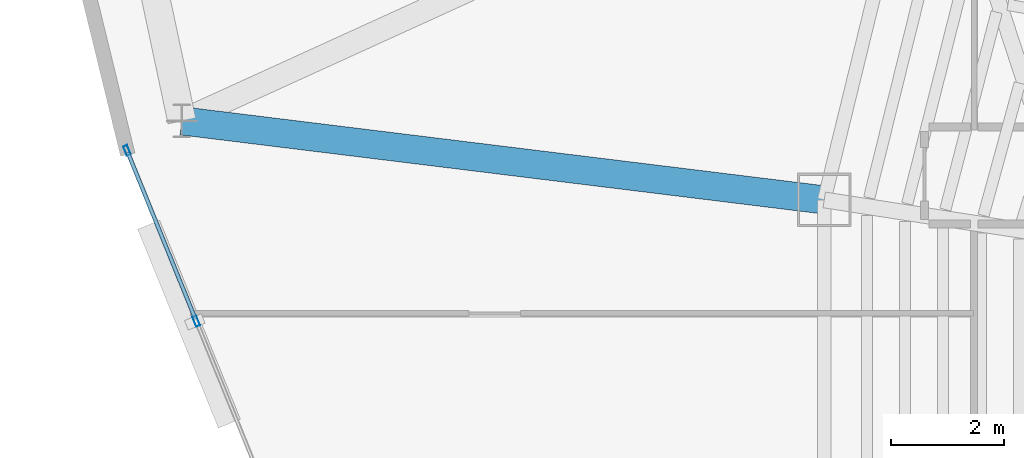
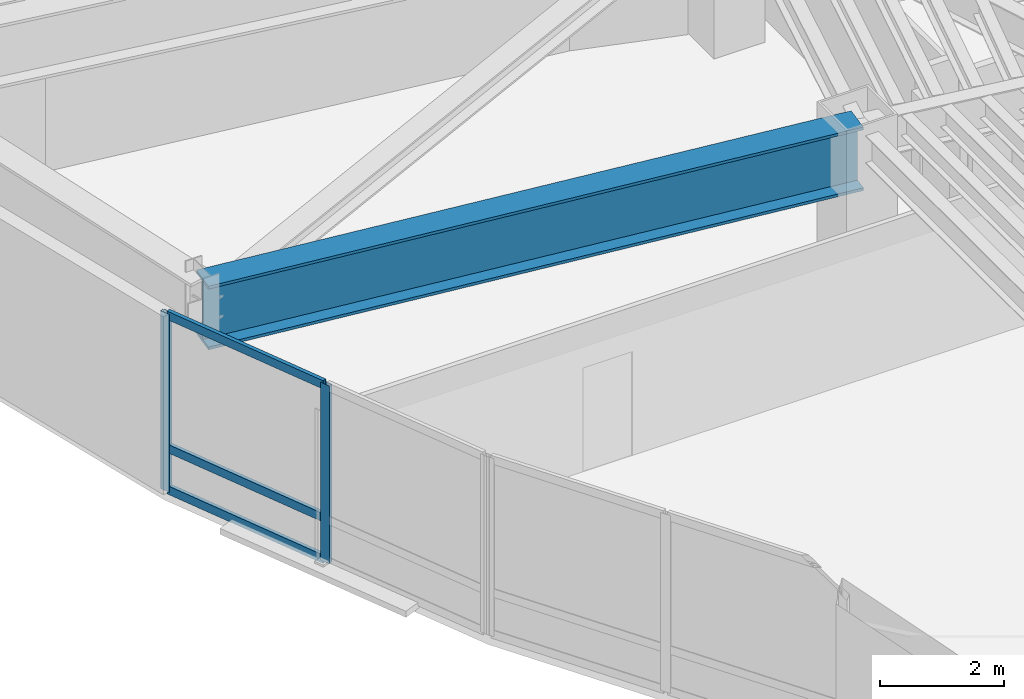
# One storey, part 6 of 16: 5 members, 1 beam, 1 element without a shape of its own.
"""IFC4 building model written with IfcOpenShell, lengths in metres."""

import ifcopenshell
import ifcopenshell.guid

model = None  # the IFC model being written
_history = None  # IfcOwnerHistory: only IFC2X3 demands one
_inside = {}  # id of a spatial element -> (the spatial element, [elements in it])
_under = {}  # id of a project, library or spatial element -> (it, [spatial elements below it])
_declared = {}  # id of a project -> (the project, [libraries it declares])
_typed = {}  # id of a type object -> (the type object, [elements of that type])
_made_of = {}  # id of a material, layer set ... -> (it, [elements and type objects made of it])


def new_model(schema):
    """Start an empty IFC model of exactly this schema.

    Asked for "IFC4X3", IfcOpenShell would pick the latest addendum, in which some entities
    have other attributes; the version numbers below select the first issue.
    IFC2X3 requires an IfcOwnerHistory on every rooted entity: one is made here for all.
    """
    global model, _history
    if schema == "IFC4X3":
        model = ifcopenshell.file(schema_version=(4, 3, 0, 0))
    else:
        model = ifcopenshell.file(schema=schema)
    _inside.clear()
    _under.clear()
    _declared.clear()
    _typed.clear()
    _made_of.clear()
    _history = None
    if model.schema == "IFC2X3":
        org = make("IfcOrganization", Name="unknown")
        user = make(
            "IfcPersonAndOrganization",
            ThePerson=make("IfcPerson", FamilyName="unknown"),
            TheOrganization=org,
        )
        app = make(
            "IfcApplication",
            ApplicationDeveloper=org,
            Version="unknown",
            ApplicationFullName="unknown",
            ApplicationIdentifier="unknown",
        )
        _history = make(
            "IfcOwnerHistory",
            OwningUser=user,
            OwningApplication=app,
            ChangeAction="ADDED",
            CreationDate=0,
        )
    return model


def make(cls, **values):
    """One entity of the class cls with the attributes given. An attribute that is None is left unset."""
    return model.create_entity(
        cls, **{name: value for name, value in values.items() if value is not None}
    )


def rooted(cls, **values):
    """An entity with a GlobalId (a new one), such as an element, a storey or a relation."""
    return make(cls, GlobalId=ifcopenshell.guid.new(), OwnerHistory=_history, **values)


def si_unit(unit_type, name, prefix=None):
    """IfcSIUnit, for example si_unit("LENGTHUNIT", "METRE", prefix="MILLI")."""
    return make("IfcSIUnit", UnitType=unit_type, Prefix=prefix, Name=name)


def assignment(units):
    """IfcUnitAssignment: the units of a project."""
    return None if units is None else make("IfcUnitAssignment", Units=units)


def point(xyz):
    """IfcCartesianPoint."""
    return None if xyz is None else make("IfcCartesianPoint", Coordinates=xyz)


def direction(xyz):
    """IfcDirection."""
    return None if xyz is None else make("IfcDirection", DirectionRatios=xyz)


def frame(location, z_axis=None, x_axis=None):
    """IfcAxis2Placement3D, a coordinate frame: its origin and axes. An axis left out is left unset."""
    return make(
        "IfcAxis2Placement3D",
        Location=point(location),
        Axis=direction(z_axis),
        RefDirection=direction(x_axis),
    )


def frame_2d(location, x_axis=None):
    """IfcAxis2Placement2D, a coordinate frame in the plane: its origin and x axis."""
    return make(
        "IfcAxis2Placement2D", Location=point(location), RefDirection=direction(x_axis)
    )


def origin():
    """The frame at (0, 0, 0) with its axes left unset."""
    return frame((0.0, 0.0, 0.0))


def origin_2d():
    """The frame at (0, 0) in the plane with its x axis left unset."""
    return frame_2d((0.0, 0.0))


def place(relative_to, where):
    """IfcLocalPlacement: puts the frame where relative to a parent placement (None: the world)."""
    return make(
        "IfcLocalPlacement", PlacementRelTo=relative_to, RelativePlacement=where
    )


def context(
    kind, dimensions, precision=None, world=None, true_north=None, identifier=None
):
    """IfcGeometricRepresentationContext, for example the 3D "Model" context."""
    return make(
        "IfcGeometricRepresentationContext",
        ContextIdentifier=identifier,
        ContextType=kind,
        CoordinateSpaceDimension=dimensions,
        Precision=precision,
        WorldCoordinateSystem=world,
        TrueNorth=true_north,
    )


def subcontext(parent, identifier, kind, view, scale=None):
    """IfcGeometricRepresentationSubContext, for example "Body" below "Model"."""
    return make(
        "IfcGeometricRepresentationSubContext",
        ContextIdentifier=identifier,
        ContextType=kind,
        ParentContext=parent,
        TargetScale=scale,
        TargetView=view,
    )


def project(units=None, contexts=None):
    """IfcProject with its units and contexts."""
    return rooted(
        "IfcProject",
        Name="project",
        RepresentationContexts=contexts,
        UnitsInContext=assignment(units),
    )


def spatial(cls, under=None, at=None, **own):
    """A site, building, storey or space (cls), placed at a placement, below another one or the project."""
    s = rooted(cls, ObjectPlacement=at, **own)
    if under is not None:
        _under.setdefault(under.id(), (under, []))[1].append(s)
    return s


def profile(cls, at=None, kind="AREA", **sizes):
    """A parametric profile (cls). Its sizes go by their IFC names, for example OverallWidth=200.0."""
    return make(cls, ProfileType=kind, Position=at, **sizes)


def hollow_rectangle(**sizes):
    """IfcRectangleHollowProfileDef."""
    return profile("IfcRectangleHollowProfileDef", **sizes)


def i_section(**sizes):
    """IfcIShapeProfileDef."""
    return profile("IfcIShapeProfileDef", **sizes)


def extrude(swept, where, along, depth):
    """IfcExtrudedAreaSolid: the profile swept, set in the frame where, extruded along a direction by depth."""
    return make(
        "IfcExtrudedAreaSolid",
        SweptArea=swept,
        Position=where,
        ExtrudedDirection=direction(along),
        Depth=depth,
    )


def shape(context_of_items, identifier, shape_type, items):
    """IfcShapeRepresentation: the items that make up one representation, for example the "Body"."""
    return make(
        "IfcShapeRepresentation",
        ContextOfItems=context_of_items,
        RepresentationIdentifier=identifier,
        RepresentationType=shape_type,
        Items=items,
    )


def material(Name=None, Category=None):
    """IfcMaterial."""
    return make("IfcMaterial", Name=Name, Category=Category)


def layer(
    of_material, thickness, ventilated=None, Name=None, Category=None, Priority=None
):
    """IfcMaterialLayer: one layer of a wall or slab, of a material (None: an air gap)."""
    return make(
        "IfcMaterialLayer",
        Material=of_material,
        LayerThickness=thickness,
        IsVentilated=ventilated,
        Name=Name,
        Category=Category,
        Priority=Priority,
    )


def layer_set(layers, Name=None):
    """IfcMaterialLayerSet."""
    return make("IfcMaterialLayerSet", MaterialLayers=layers, LayerSetName=Name)


def material_profile(
    of_material, cross_section, Name=None, Category=None, Priority=None
):
    """IfcMaterialProfile: a cross section and its material."""
    return make(
        "IfcMaterialProfile",
        Name=Name,
        Material=of_material,
        Profile=cross_section,
        Priority=Priority,
        Category=Category,
    )


def profile_set(profiles, Name=None, composite=None):
    """IfcMaterialProfileSet."""
    return make(
        "IfcMaterialProfileSet",
        Name=Name,
        MaterialProfiles=profiles,
        CompositeProfile=composite,
    )


def made_of(thing, what):
    """Note that an element or type object is made of a material, layer set ...; save() writes the relation."""
    if what is not None:
        _made_of.setdefault(what.id(), (what, []))[1].append(thing)
    return thing


def type_object(cls, material=None, **own):
    """A type object (cls), such as IfcWallType, which elements share."""
    return made_of(rooted(cls, **own), material)


def element(
    cls,
    number,
    at=None,
    inside=None,
    cuts=None,
    type_object=None,
    material=None,
    context=None,
    identifier="Body",
    shape_type=None,
    held_by="IfcProductDefinitionShape",
    body=None,
    shapes=None,
    **own,
):
    """One element of the class cls, such as IfcWall. Its Tag is "e" and its number.

    at: its placement. inside: the storey or other place that contains it. cuts: it is an
    opening in that element (IfcRelVoidsElement). A single representation is given by context,
    identifier, shape_type and body (its items); several are given by shapes. held_by: the class
    of the entity that holds the representations. save() writes the other relations.
    """
    e = rooted(cls, Tag="e%d" % number, ObjectPlacement=at, **own)
    if body is not None:
        shapes = [shape(context, identifier, shape_type, body)]
    if shapes is not None:
        e.Representation = make(held_by, Representations=shapes)
    if inside is not None:
        _inside.setdefault(inside.id(), (inside, []))[1].append(e)
    if cuts is not None:
        rooted(
            "IfcRelVoidsElement", RelatingBuildingElement=cuts, RelatedOpeningElement=e
        )
    if type_object is not None:
        _typed.setdefault(type_object.id(), (type_object, []))[1].append(e)
    return made_of(e, material)


def aggregate(whole, parts):
    """IfcRelAggregates: a whole, such as a stair, and the parts it consists of."""
    return rooted("IfcRelAggregates", RelatingObject=whole, RelatedObjects=parts)


def save(model, path):
    """Write the relations noted so far, then the file.

    IfcRelAggregates (storeys below a building ...), IfcRelContainedInSpatialStructure (elements
    in a storey), IfcRelDefinesByType, IfcRelAssociatesMaterial and IfcRelDeclares: one each for
    every whole, place, type object, material and project.
    """
    for whole, parts in _under.values():
        aggregate(whole, parts)
    for where, things in _inside.values():
        rooted(
            "IfcRelContainedInSpatialStructure",
            RelatedElements=things,
            RelatingStructure=where,
        )
    for kind, things in _typed.values():
        rooted("IfcRelDefinesByType", RelatedObjects=things, RelatingType=kind)
    for what, things in _made_of.values():
        rooted("IfcRelAssociatesMaterial", RelatedObjects=things, RelatingMaterial=what)
    for by, libraries in _declared.values():
        rooted("IfcRelDeclares", RelatingContext=by, RelatedDefinitions=libraries)
    model.write(path)


model = new_model("IFC4")

# Units and contexts
model_context = context("Model", 3, precision=1e-05, world=origin(), true_north=direction((0.0, 1.0)))
body_context = subcontext(model_context, "Body", "Model", "MODEL_VIEW")
ifc_project = project(units=[si_unit("LENGTHUNIT", "METRE"), si_unit("AREAUNIT", "SQUARE_METRE"), si_unit("VOLUMEUNIT", "CUBIC_METRE"), si_unit("PLANEANGLEUNIT", "RADIAN"), si_unit("MASSUNIT", "GRAM", prefix="KILO")], contexts=[model_context])

# Site, building, storey
site_placement = place(None, origin())
site = spatial("IfcSite", under=ifc_project, at=site_placement, CompositionType="ELEMENT")
building_placement = place(site_placement, origin())
building = spatial("IfcBuilding", under=site, at=building_placement, Name="Menara Vayukalpa", CompositionType="ELEMENT")
storey_placement = place(building_placement, frame((0.0, 0.0, 198.9599609375)))
storey = spatial("IfcBuildingStorey", under=building, at=storey_placement, Name="L50", CompositionType="ELEMENT", Elevation=198.9599609375)

# Beam
ifc_material_1 = material(Name="Steel S460", Category="steel")
ifc_material_profile_1 = material_profile(ifc_material_1, i_section(OverallWidth=0.5, OverallDepth=1.25, WebThickness=0.028076171875, FlangeThickness=0.054931640625, at=origin_2d()), Name="WG 1250x500x28x55")
ifc_profile_set_1 = profile_set([ifc_material_profile_1], Name="Steel S460")
beam_type = type_object("IfcBeamType", Name="BM-TG2", PredefinedType="BEAM", material=ifc_profile_set_1)
beam_placement = place(storey_placement, frame((13.343994140625, 27.4892578125, 2.875), z_axis=(-0.992512957278, 0.122139386091, 0.0), x_axis=(-0.122139386091, -0.992512957278, 0.0)))
element("IfcBeam", 1, at=beam_placement, inside=storey, type_object=beam_type, Name="L50 SB4 Sky Bar Vierendeel Girder 05", PredefinedType="BEAM", context=body_context, shape_type="SweptSolid", body=[
    extrude(i_section(OverallWidth=0.5, OverallDepth=1.25, WebThickness=0.028076171875, FlangeThickness=0.054931640625, at=origin_2d()), origin(), (0.0, 0.0, 1.0), 11.463623046875),
])

# Curtain wall, members
ifc_material_2 = material(Name="Anodised Terracotta Aluminium Alloy 6063-T6", Category="masonry")
ifc_layer = layer(ifc_material_2, 0.179931640625)
ifc_layer_set = layer_set([ifc_layer], Name="Anodised Terracotta Aluminium Alloy 6063-T6")
curtain_wall_type = type_object("IfcCurtainWallType", Name="CW-CW4", PredefinedType="USERDEFINED", material=ifc_layer_set)
curtain_wall_placement = place(storey_placement, origin())
curtain_wall = element("IfcCurtainWall", 2, at=curtain_wall_placement, inside=storey, type_object=curtain_wall_type, Name="L50 Sky Bar Cantilever Glazed Curtain Wall CW4 13", ObjectType="UNITISED", PredefinedType="USERDEFINED")
ifc_material_3 = material(Name="Anodised Terracotta Aluminium Alloy 6063-T6", Category="masonry")
ifc_material_profile_2 = material_profile(ifc_material_3, hollow_rectangle(XDim=0.074951171875, YDim=0.179931640625, WallThickness=0.00390625, at=origin_2d()), Name="ALU 75x180x4")
ifc_profile_set_2 = profile_set([ifc_material_profile_2], Name="Anodised Terracotta Aluminium Alloy 6063-T6")
member_type_1 = type_object("IfcMemberType", Name="CWM-CW4", PredefinedType="MULLION", material=ifc_profile_set_2)
member_1_placement = place(storey_placement, frame((0.9951171875, 28.365966796875, 0.0), z_axis=(0.0, 0.0, 1.0), x_axis=(0.926582183577, 0.376092351793, 0.0)))
member_1 = element("IfcMember", 3, at=member_1_placement, type_object=member_type_1, Name="CW4 mullion 1", PredefinedType="MULLION", context=body_context, shape_type="SweptSolid", body=[
    extrude(hollow_rectangle(XDim=0.074951171875, YDim=0.179931640625, WallThickness=0.00390625, at=origin_2d()), origin(), (0.0, 0.0, 1.0), 3.5),
])
member_2_placement = place(storey_placement, frame((2.222900390625, 25.340576171875, 0.0), z_axis=(0.0, 0.0, 1.0), x_axis=(0.926582183577, 0.376092351793, 0.0)))
member_2 = element("IfcMember", 4, at=member_2_placement, type_object=member_type_1, Name="CW4 mullion 2", PredefinedType="MULLION", context=body_context, shape_type="SweptSolid", body=[
    extrude(hollow_rectangle(XDim=0.074951171875, YDim=0.179931640625, WallThickness=0.00390625, at=origin_2d()), origin(), (0.0, 0.0, 1.0), 3.5),
])
ifc_material_4 = material(Name="Anodised Terracotta Aluminium Alloy 6063-T6", Category="masonry")
ifc_material_profile_3 = material_profile(ifc_material_4, hollow_rectangle(XDim=0.070068359375, YDim=0.1650390625, WallThickness=0.00390625, at=origin_2d()), Name="ALU 70x165x4")
ifc_profile_set_3 = profile_set([ifc_material_profile_3], Name="Anodised Terracotta Aluminium Alloy 6063-T6")
member_type_2 = type_object("IfcMemberType", Name="CWT-CW4", PredefinedType="USERDEFINED", material=ifc_profile_set_3)
member_3_placement = place(storey_placement, frame((1.009033203125, 28.331298828125, 0.03515625), z_axis=(0.376083469559, -0.926585788756, 0.0), x_axis=(0.926585788756, 0.376083469559, 0.0)))
member_3 = element("IfcMember", 5, at=member_3_placement, type_object=member_type_2, Name="CW4 transom 1.1", ObjectType="TRANSOM", PredefinedType="USERDEFINED", context=body_context, shape_type="SweptSolid", body=[
    extrude(hollow_rectangle(XDim=0.070068359375, YDim=0.1650390625, WallThickness=0.00390625, at=origin_2d()), origin(), (0.0, 0.0, 1.0), 3.18994140625),
])
member_4_placement = place(storey_placement, frame((1.009033203125, 28.331298828125, 0.85009765625), z_axis=(0.376083469559, -0.926585788756, 0.0), x_axis=(0.926585788756, 0.376083469559, 0.0)))
member_4 = element("IfcMember", 6, at=member_4_placement, type_object=member_type_2, Name="CW4 transom 1.2", ObjectType="TRANSOM", PredefinedType="USERDEFINED", context=body_context, shape_type="SweptSolid", body=[
    extrude(hollow_rectangle(XDim=0.070068359375, YDim=0.1650390625, WallThickness=0.00390625, at=origin_2d()), origin(), (0.0, 0.0, 1.0), 3.18994140625),
])
member_5_placement = place(storey_placement, frame((1.009033203125, 28.331298828125, 3.465087890625), z_axis=(0.376083469559, -0.926585788756, 0.0), x_axis=(0.926585788756, 0.376083469559, 0.0)))
member_5 = element("IfcMember", 7, at=member_5_placement, type_object=member_type_2, Name="CW4 transom 1.3", ObjectType="TRANSOM", PredefinedType="USERDEFINED", context=body_context, shape_type="SweptSolid", body=[
    extrude(hollow_rectangle(XDim=0.070068359375, YDim=0.1650390625, WallThickness=0.00390625, at=origin_2d()), origin(), (0.0, 0.0, 1.0), 3.18994140625),
])
aggregate(curtain_wall, [member_1, member_2, member_3, member_4, member_5])

save(model, "model.ifc")
